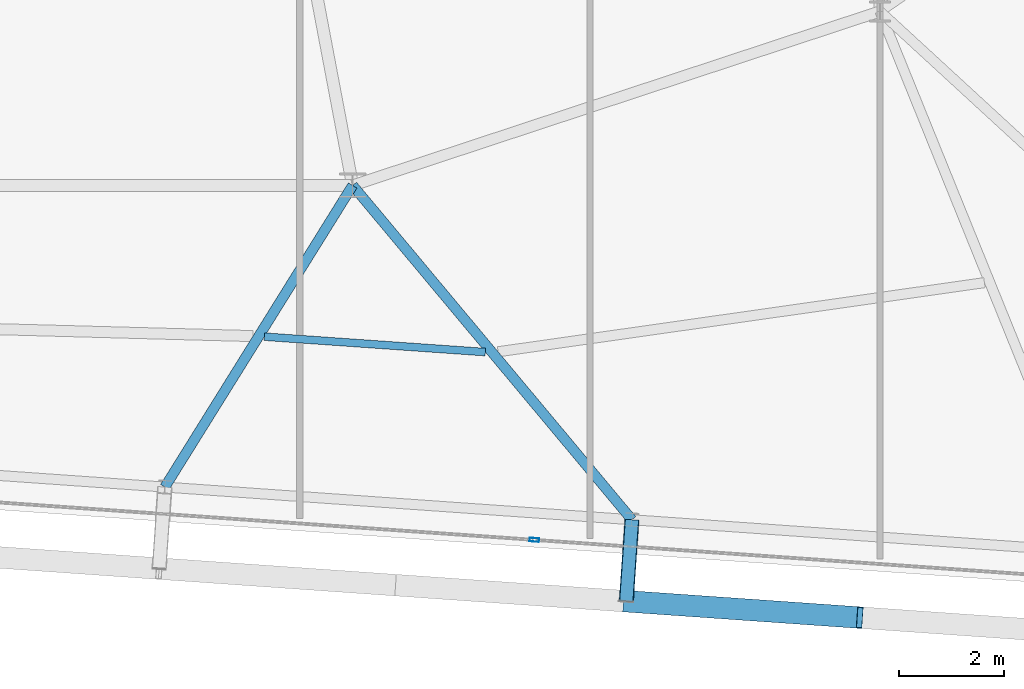
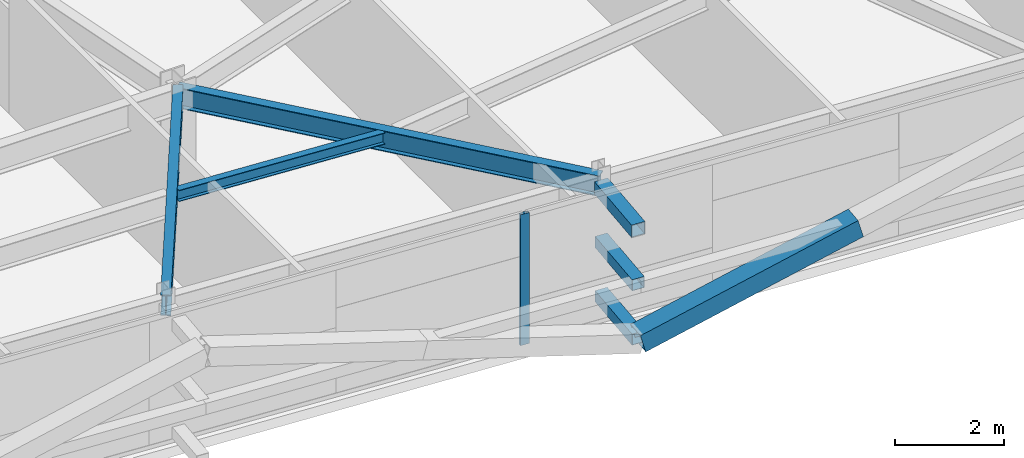
# One storey, part 13 of 39: 5 members, 3 beams, 1 element without a shape of its own.
"""IFC4 building model written with IfcOpenShell, lengths in metres."""

from ifc_helpers import new_model, si_unit, direction, frame, origin, origin_2d, place, context, subcontext, project, spatial, hollow_rectangle, i_section, extrude, source, transform, mapped, material, layer, layer_set, material_profile, profile_set, type_object, element, aggregate, save


model = new_model("IFC4")

# Units and contexts
model_context = context("Model", 3, precision=1e-05, world=origin(), true_north=direction((0.0, 1.0)))
body_context = subcontext(model_context, "Body", "Model", "MODEL_VIEW")
ifc_project = project(units=[si_unit("LENGTHUNIT", "METRE"), si_unit("AREAUNIT", "SQUARE_METRE"), si_unit("VOLUMEUNIT", "CUBIC_METRE"), si_unit("PLANEANGLEUNIT", "RADIAN"), si_unit("MASSUNIT", "GRAM", prefix="KILO")], contexts=[model_context])

# Site, building, storey
site_placement = place(None, origin())
site = spatial("IfcSite", under=ifc_project, at=site_placement, CompositionType="ELEMENT")
building_placement = place(site_placement, origin())
building = spatial("IfcBuilding", under=site, at=building_placement, Name="Taldren Reach Tower", CompositionType="ELEMENT")
storey_placement = place(building_placement, frame((0.0, 0.0, 120.39990234375)))
storey = spatial("IfcBuildingStorey", under=building, at=storey_placement, Name="L36", CompositionType="ELEMENT", Elevation=120.39990234375)

# Members
ifc_material_1 = material(Name="Steel Gr 450 (C450L0)", Category="steel")
ifc_material_profile_1 = material_profile(ifc_material_1, hollow_rectangle(XDim=0.27490234375, YDim=0.27490234375, WallThickness=0.00927734375, at=origin_2d()), Name="275x275x9.3SHS")
ifc_profile_set_1 = profile_set([ifc_material_profile_1], Name="Steel Gr 450 (C450L0)")
member_type_1 = type_object("IfcMemberType", Name="MB-TIE273", PredefinedType="STRUT", material=ifc_profile_set_1)
shared_shape_1 = source(origin(), body_context, "Body", "SweptSolid", [
    extrude(hollow_rectangle(XDim=0.27490234375, YDim=0.27490234375, WallThickness=0.00927734375, at=origin_2d()), origin(), (0.0, 0.0, 1.0), 1.5498046875),
])
member_1_placement = place(storey_placement, frame((47.297119140625, 2.860595703125, 2.650146484375), z_axis=(-0.069780535098, -0.997562367434, 0.0), x_axis=(0.997562367434, -0.069780535098, 0.0)))
element("IfcMember", 1, at=member_1_placement, inside=storey, type_object=member_type_1, Name="Exoskeleton diaphragm tie strut B3-S5 L36", PredefinedType="STRUT", context=body_context, shape_type="MappedRepresentation", body=[
    mapped(shared_shape_1, transform((0.0, 0.0, 0.0), scale=1.0)),
])
ifc_material_2 = material(Name="Steel Gr 350 (C350L0)", Category="steel")
ifc_material_profile_2 = material_profile(ifc_material_2, hollow_rectangle(XDim=0.25, YDim=0.25, WallThickness=0.010009765625, at=origin_2d()), Name="250x250x10.0SHS")
ifc_profile_set_2 = profile_set([ifc_material_profile_2], Name="Steel Gr 350 (C350L0)")
member_type_2 = type_object("IfcMemberType", Name="MB-POST250", PredefinedType="POST", material=ifc_profile_set_2)
shared_shape_2 = source(origin(), body_context, "Body", "SweptSolid", [
    extrude(hollow_rectangle(XDim=0.25, YDim=0.25, WallThickness=0.010009765625, at=origin_2d()), origin(), (0.0, 0.0, 1.0), 1.5498046875),
])
for number, where, z_axis, x_axis, name in (
    (2, (47.297119140625, 2.860595703125, 0.22021484375), (-0.069780535098, -0.997562367434, 0.0), (0.997562367434, -0.069780535098, 0.0), "Exoskeleton base diaphragm tie strut B3-S5 L36"),
    (3, (47.297119140625, 2.860595703125, 1.43505859375), (-0.069780535098, -0.997562367434, 0.0), (0.997562367434, -0.069780535098, 0.0), "Exoskeleton mid-tier diaphragm tie B3-S5 L36"),
):
    element("IfcMember", number, at=place(storey_placement, frame(where, z_axis=z_axis, x_axis=x_axis)), inside=storey, type_object=member_type_2, Name=name, PredefinedType="POST", context=body_context, shape_type="MappedRepresentation", body=[
        mapped(shared_shape_2, transform((0.0, 0.0, 0.0), scale=1.0)),
    ])

# Beams
ifc_material_3 = material(Name="Steel Gr 350 (350PLUS)", Category="steel")
ifc_material_profile_3 = material_profile(ifc_material_3, i_section(OverallWidth=0.19091796875, OverallDepth=0.4599609375, WebThickness=0.010009765625, FlangeThickness=0.01611328125, at=origin_2d()), Name="460UB82.1")
ifc_profile_set_3 = profile_set([ifc_material_profile_3], Name="Steel Gr 350 (350PLUS)")
beam_type_1 = type_object("IfcBeamType", Name="BM-UB460A", PredefinedType="BEAM", material=ifc_profile_set_3)
shared_shape_3 = source(origin(), body_context, "Body", "SweptSolid", [
    extrude(i_section(OverallWidth=0.19091796875, OverallDepth=0.4599609375, WebThickness=0.010009765625, FlangeThickness=0.01611328125, at=origin_2d()), origin(), (0.0, 0.0, 1.0), 6.73779296875),
])
beam_1_placement = place(storey_placement, frame((42.0, 9.199951171875, 2.7001953125), z_axis=(-0.528552048024, -0.848900896765, 0.0), x_axis=(0.848900896765, -0.528552048024, 0.0)))
element("IfcBeam", 4, at=beam_1_placement, inside=storey, type_object=beam_type_1, Name="Primary floor girder B3-S4 L36", PredefinedType="BEAM", context=body_context, shape_type="MappedRepresentation", body=[
    mapped(shared_shape_3, transform((0.0, 0.0, 0.0), scale=1.0)),
])
shared_shape_4 = source(origin(), body_context, "Body", "SweptSolid", [
    extrude(i_section(OverallWidth=0.19091796875, OverallDepth=0.4599609375, WebThickness=0.010009765625, FlangeThickness=0.01611328125, at=origin_2d()), origin(), (0.0, 0.0, 1.0), 8.26123046875),
])
beam_2_placement = place(storey_placement, frame((42.0, 9.199951171875, 2.7001953125), z_axis=(0.64120703686, -0.767367927322, 0.0), x_axis=(0.767367927322, 0.64120703686, 0.0)))
element("IfcBeam", 5, at=beam_2_placement, inside=storey, type_object=beam_type_1, Name="Primary floor girder B3-S5 L36", PredefinedType="BEAM", context=body_context, shape_type="MappedRepresentation", body=[
    mapped(shared_shape_4, transform((0.0, 0.0, 0.0), scale=1.0)),
])
ifc_material_4 = material(Name="Steel Gr 300 (300PLUS, 300 MPa)", Category="steel")
ifc_material_profile_4 = material_profile(ifc_material_4, i_section(OverallWidth=0.14599609375, OverallDepth=0.256103515625, WebThickness=0.00634765625, FlangeThickness=0.010986328125, at=origin_2d()), Name="250UB37.3")
ifc_profile_set_4 = profile_set([ifc_material_profile_4], Name="Steel Gr 300 (300PLUS, 300 MPa)")
beam_type_2 = type_object("IfcBeamType", Name="JS-UB250", PredefinedType="JOIST", material=ifc_profile_set_4)
shared_shape_5 = source(origin(), body_context, "Body", "SweptSolid", [
    extrude(i_section(OverallWidth=0.14599609375, OverallDepth=0.256103515625, WebThickness=0.00634765625, FlangeThickness=0.010986328125, at=origin_2d()), origin(), (0.0, 0.0, 1.0), 4.199462890625),
])
beam_3_placement = place(storey_placement, frame((40.3271484375, 6.33251953125, 2.802001953125), z_axis=(0.99756354117, -0.069763753681, 0.0), x_axis=(0.069763753681, 0.99756354117, 0.0)))
element("IfcBeam", 6, at=beam_3_placement, inside=storey, type_object=beam_type_2, Name="Secondary floor joist B3 J4 L36", PredefinedType="JOIST", context=body_context, shape_type="MappedRepresentation", body=[
    mapped(shared_shape_5, transform((0.0, 0.0, 0.0), scale=1.0)),
])

# Member
ifc_material_profile_5 = material_profile(ifc_material_1, hollow_rectangle(XDim=0.409912109375, YDim=0.409912109375, WallThickness=0.01611328125, at=origin_2d()), Name="410x410x16.0SHS")
ifc_profile_set_5 = profile_set([ifc_material_profile_5], Name="Steel Gr 450 (C450L0)")
member_type_3 = type_object("IfcMemberType", Name="MB-EXO406", PredefinedType="BRACE", material=ifc_profile_set_5)
shared_shape_6 = source(origin(), body_context, "Body", "SweptSolid", [
    extrude(hollow_rectangle(XDim=0.409912109375, YDim=0.409912109375, WallThickness=0.01611328125, at=origin_2d()), origin(), (0.0, 0.0, 1.0), 4.603271484375),
])
member_2_placement = place(storey_placement, frame((47.18896484375, 1.314453125, 0.22021484375), z_axis=(0.962195820062, -0.067303852699, 0.263911718699), x_axis=(0.06977769246, 0.997562566276, 0.0)))
element("IfcMember", 7, at=member_2_placement, inside=storey, type_object=member_type_3, Name="Exoskeleton Diagrid Brace B3-S5 L36", PredefinedType="BRACE", context=body_context, shape_type="MappedRepresentation", body=[
    mapped(shared_shape_6, transform((0.0, 0.0, 0.0), scale=1.0)),
])

# Curtain wall, member
ifc_material_5 = material(Name="Aluminium and Low-E Glass Unitised System", Category="aluminium")
ifc_layer = layer(ifc_material_5, 0.159912109375)
ifc_layer_set = layer_set([ifc_layer], Name="Aluminium and Low-E Glass Unitised System")
curtain_wall_type = type_object("IfcCurtainWallType", Name="CW-SYS-4", PredefinedType="NOTDEFINED", material=ifc_layer_set)
curtain_wall_placement = place(storey_placement, origin())
curtain_wall = element("IfcCurtainWall", 8, at=curtain_wall_placement, inside=storey, type_object=curtain_wall_type, Name="Unitised curtain wall CW-L36-S", PredefinedType="NOTDEFINED")
ifc_material_6 = material(Name="Anodised Aluminium 6063-T6", Category="aluminium")
ifc_material_profile_6 = material_profile(ifc_material_6, hollow_rectangle(XDim=0.070068359375, YDim=0.179931640625, WallThickness=0.00390625, at=origin_2d()), Name="ALU-180x70x4RHS")
ifc_profile_set_6 = profile_set([ifc_material_profile_6], Name="Anodised Aluminium 6063-T6")
member_type_4 = type_object("IfcMemberType", Name="CW-MUL-180", PredefinedType="MULLION", material=ifc_profile_set_6)
shared_shape_7 = source(origin(), body_context, "Body", "SweptSolid", [
    extrude(hollow_rectangle(XDim=0.070068359375, YDim=0.179931640625, WallThickness=0.00390625, at=origin_2d()), origin(), (0.0, 0.0, 1.0), 2.93017578125),
])
member_3_placement = place(storey_placement, frame((45.44580078125, 2.478759765625, 0.0), z_axis=(0.0, 0.0, 1.0), x_axis=(0.06975651593, 0.99756404731, 0.0)))
member_3 = element("IfcMember", 9, at=member_3_placement, type_object=member_type_4, Name="CW-4 mullion 4", PredefinedType="MULLION", context=body_context, shape_type="MappedRepresentation", body=[
    mapped(shared_shape_7, transform((0.0, 0.0, 0.0), scale=1.0)),
])
aggregate(curtain_wall, [member_3])

save(model, "model.ifc")
